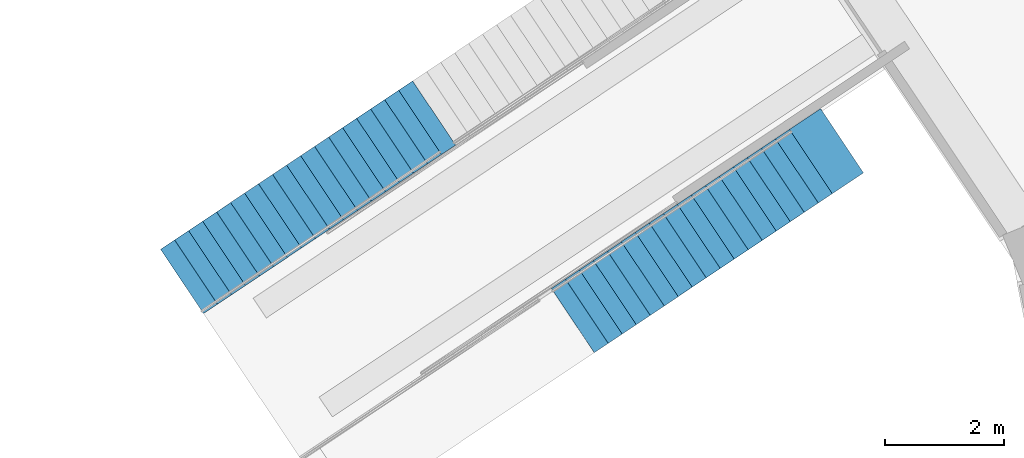
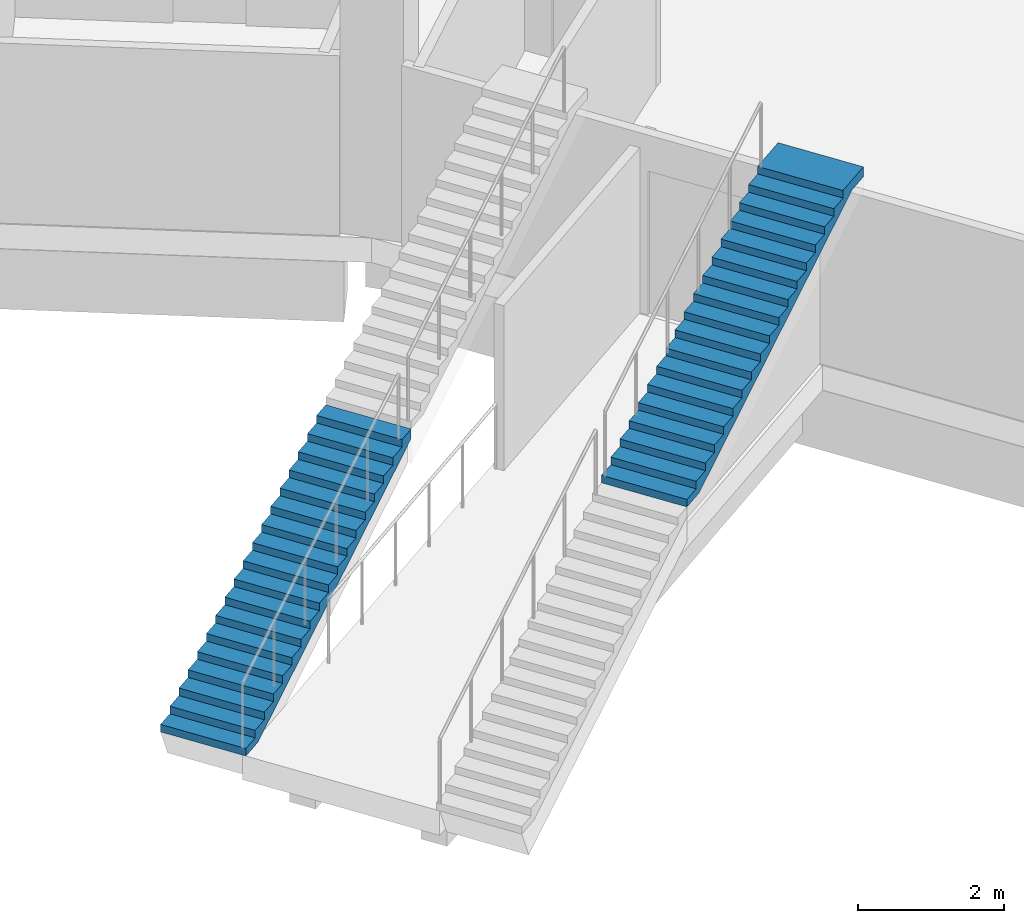
# One storey, part 145 of 175: 2 stair flights, 2 elements without a shape of their own.
"""IFC4 building model written with IfcOpenShell, lengths in metres."""

from ifc_helpers import new_model, si_unit, direction, frame, origin, place, context, subcontext, project, spatial, faceted_brep, material, type_object, element, aggregate, save


model = new_model("IFC4")

# Units and contexts
model_context = context("Model", 3, precision=1e-05, world=origin(), true_north=direction((0.0, 1.0)))
body_context = subcontext(model_context, "Body", "Model", "MODEL_VIEW")
ifc_project = project(units=[si_unit("LENGTHUNIT", "METRE"), si_unit("AREAUNIT", "SQUARE_METRE"), si_unit("VOLUMEUNIT", "CUBIC_METRE"), si_unit("PLANEANGLEUNIT", "RADIAN"), si_unit("MASSUNIT", "GRAM", prefix="KILO")], contexts=[model_context])

# Site, building, storey
site_placement = place(None, origin())
site = spatial("IfcSite", under=ifc_project, at=site_placement, CompositionType="ELEMENT")
building_placement = place(site_placement, origin())
building = spatial("IfcBuilding", under=site, at=building_placement, Name="Ogive Plaza Stadium", CompositionType="ELEMENT")
storey_placement = place(building_placement, origin())
storey = spatial("IfcBuildingStorey", under=building, at=storey_placement, Name="L00", CompositionType="ELEMENT", Elevation=0.0)

# Stair, stair flight
ifc_material_1 = material(Name="Concrete C40/50", Category="concrete")
stair_type = type_object("IfcStairType", Name="Aisle stair", PredefinedType="STRAIGHT_RUN_STAIR", material=ifc_material_1)
stair_1_placement = place(storey_placement, origin())
stair_1 = element("IfcStair", 1, at=stair_1_placement, inside=storey, type_object=stair_type, Name="Aisle stair SA39L", PredefinedType="STRAIGHT_RUN_STAIR")
ifc_material_2 = material(Name="Concrete C40/50", Category="concrete")
stair_flight_type = type_object("IfcStairFlightType", Name="Aisle stair flight", PredefinedType="STRAIGHT", material=ifc_material_2)
stair_flight_1_placement = place(storey_placement, frame((52.00390625, 62.004150390625, 2.25), z_axis=(0.0, 0.0, 1.0), x_axis=(0.831469612303, 0.55557023302, 0.0)))
stair_flight_1 = element("IfcStairFlight", 2, at=stair_flight_1_placement, type_object=stair_flight_type, Name="SA39L flight 2", NumberOfRisers=18, NumberOfTreads=17, PredefinedType="STRAIGHT", RiserHeight=0.125, TreadLength=0.283333333, context=body_context, shape_type="Brep", body=[
    faceted_brep([(0.371337890625, -0.64990234375, 0.0), (5.10009765625, -0.64990234375, 2.086181640625), (5.446533203125, -0.64990234375, 2.086181640625), (5.446533203125, -0.64990234375, 2.25), (4.816650390625, -0.64990234375, 2.25), (4.816650390625, -0.64990234375, 2.125), (4.533447265625, -0.64990234375, 2.125), (4.533447265625, -0.64990234375, 2.0), (4.25, -0.64990234375, 2.0), (4.25, -0.64990234375, 1.875), (3.966552734375, -0.64990234375, 1.875), (3.966552734375, -0.64990234375, 1.75), (3.683349609375, -0.64990234375, 1.75), (3.683349609375, -0.64990234375, 1.625), (3.39990234375, -0.64990234375, 1.625), (3.39990234375, -0.64990234375, 1.5), (3.11669921875, -0.64990234375, 1.5), (3.11669921875, -0.64990234375, 1.375), (2.833251953125, -0.64990234375, 1.375), (2.833251953125, -0.64990234375, 1.25), (2.550048828125, -0.64990234375, 1.25), (2.550048828125, -0.64990234375, 1.125), (2.2666015625, -0.64990234375, 1.125), (2.2666015625, -0.64990234375, 1.0), (1.9833984375, -0.64990234375, 1.0), (1.9833984375, -0.64990234375, 0.875), (1.699951171875, -0.64990234375, 0.875), (1.699951171875, -0.64990234375, 0.75), (1.416748046875, -0.64990234375, 0.75), (1.416748046875, -0.64990234375, 0.625), (1.13330078125, -0.64990234375, 0.625), (1.13330078125, -0.64990234375, 0.5), (0.85009765625, -0.64990234375, 0.5), (0.85009765625, -0.64990234375, 0.375), (0.566650390625, -0.64990234375, 0.375), (0.566650390625, -0.64990234375, 0.25), (0.283447265625, -0.64990234375, 0.25), (0.283447265625, -0.64990234375, 0.125), (0.0, -0.64990234375, 0.125), (0.0, -0.64990234375, 0.0), (0.0, 0.64990234375, 0.0), (0.0, 0.64990234375, 0.125), (0.283447265625, 0.64990234375, 0.125), (0.283447265625, 0.64990234375, 0.25), (0.566650390625, 0.64990234375, 0.25), (0.566650390625, 0.64990234375, 0.375), (0.85009765625, 0.64990234375, 0.375), (0.85009765625, 0.64990234375, 0.5), (1.13330078125, 0.64990234375, 0.5), (1.13330078125, 0.64990234375, 0.625), (1.416748046875, 0.64990234375, 0.625), (1.416748046875, 0.64990234375, 0.75), (1.699951171875, 0.64990234375, 0.75), (1.699951171875, 0.64990234375, 0.875), (1.9833984375, 0.64990234375, 0.875), (1.9833984375, 0.64990234375, 1.0), (2.2666015625, 0.64990234375, 1.0), (2.2666015625, 0.64990234375, 1.125), (2.550048828125, 0.64990234375, 1.125), (2.550048828125, 0.64990234375, 1.25), (2.833251953125, 0.64990234375, 1.25), (2.833251953125, 0.64990234375, 1.375), (3.11669921875, 0.64990234375, 1.375), (3.11669921875, 0.64990234375, 1.5), (3.39990234375, 0.64990234375, 1.5), (3.39990234375, 0.64990234375, 1.625), (3.683349609375, 0.64990234375, 1.625), (3.683349609375, 0.64990234375, 1.75), (3.966552734375, 0.64990234375, 1.75), (3.966552734375, 0.64990234375, 1.875), (4.25, 0.64990234375, 1.875), (4.25, 0.64990234375, 2.0), (4.533447265625, 0.64990234375, 2.0), (4.533447265625, 0.64990234375, 2.125), (4.816650390625, 0.64990234375, 2.125), (4.816650390625, 0.64990234375, 2.25), (5.446533203125, 0.64990234375, 2.25), (5.446533203125, 0.64990234375, 2.086181640625), (5.10009765625, 0.64990234375, 2.086181640625), (0.371337890625, 0.64990234375, 0.0), (0.371337890625, -0.324951171875, 0.0), (5.10009765625, -0.324951171875, 2.086181640625), (0.371337890625, 0.0, 0.0), (5.10009765625, 0.0, 2.086181640625), (0.371337890625, 0.324951171875, 0.0), (5.10009765625, 0.324951171875, 2.086181640625), (5.446533203125, -0.324951171875, 2.086181640625), (5.446533203125, 0.0, 2.086181640625), (5.446533203125, 0.324951171875, 2.086181640625), (5.446533203125, -0.324951171875, 2.25), (5.446533203125, 0.0, 2.25), (5.446533203125, 0.324951171875, 2.25), (4.816650390625, -0.324951171875, 2.25), (4.816650390625, 0.0, 2.25), (4.816650390625, 0.324951171875, 2.25), (4.816650390625, -0.324951171875, 2.125), (4.816650390625, 0.0, 2.125), (4.816650390625, 0.324951171875, 2.125), (4.533447265625, -0.324951171875, 2.125), (4.533447265625, 0.0, 2.125), (4.533447265625, 0.324951171875, 2.125), (4.533447265625, -0.324951171875, 2.0), (4.533447265625, 0.0, 2.0), (4.533447265625, 0.324951171875, 2.0), (4.25, -0.324951171875, 2.0), (4.25, 0.0, 2.0), (4.25, 0.324951171875, 2.0), (4.25, -0.324951171875, 1.875), (4.25, 0.0, 1.875), (4.25, 0.324951171875, 1.875), (3.966552734375, -0.324951171875, 1.875), (3.966552734375, 0.0, 1.875), (3.966552734375, 0.324951171875, 1.875), (3.966552734375, -0.324951171875, 1.75), (3.966552734375, 0.0, 1.75), (3.966552734375, 0.324951171875, 1.75), (3.683349609375, -0.324951171875, 1.75), (3.683349609375, 0.0, 1.75), (3.683349609375, 0.324951171875, 1.75), (3.683349609375, -0.324951171875, 1.625), (3.683349609375, 0.0, 1.625), (3.683349609375, 0.324951171875, 1.625), (3.39990234375, -0.324951171875, 1.625), (3.39990234375, 0.0, 1.625), (3.39990234375, 0.324951171875, 1.625), (3.39990234375, -0.324951171875, 1.5), (3.39990234375, 0.0, 1.5), (3.39990234375, 0.324951171875, 1.5), (3.11669921875, -0.324951171875, 1.5), (3.11669921875, 0.0, 1.5), (3.11669921875, 0.324951171875, 1.5), (3.11669921875, -0.324951171875, 1.375), (3.11669921875, 0.0, 1.375), (3.11669921875, 0.324951171875, 1.375), (2.833251953125, -0.324951171875, 1.375), (2.833251953125, 0.0, 1.375), (2.833251953125, 0.324951171875, 1.375), (2.833251953125, -0.324951171875, 1.25), (2.833251953125, 0.0, 1.25), (2.833251953125, 0.324951171875, 1.25), (2.550048828125, -0.324951171875, 1.25), (2.550048828125, 0.0, 1.25), (2.550048828125, 0.324951171875, 1.25), (2.550048828125, -0.324951171875, 1.125), (2.550048828125, 0.0, 1.125), (2.550048828125, 0.324951171875, 1.125), (2.2666015625, -0.324951171875, 1.125), (2.2666015625, 0.0, 1.125), (2.2666015625, 0.324951171875, 1.125), (2.2666015625, -0.324951171875, 1.0), (2.2666015625, 0.0, 1.0), (2.2666015625, 0.324951171875, 1.0), (1.9833984375, -0.324951171875, 1.0), (1.9833984375, 0.0, 1.0), (1.9833984375, 0.324951171875, 1.0), (1.9833984375, -0.324951171875, 0.875), (1.9833984375, 0.0, 0.875), (1.9833984375, 0.324951171875, 0.875), (1.699951171875, -0.324951171875, 0.875), (1.699951171875, 0.0, 0.875), (1.699951171875, 0.324951171875, 0.875), (1.699951171875, -0.324951171875, 0.75), (1.699951171875, 0.0, 0.75), (1.699951171875, 0.324951171875, 0.75), (1.416748046875, -0.324951171875, 0.75), (1.416748046875, 0.0, 0.75), (1.416748046875, 0.324951171875, 0.75), (1.416748046875, -0.324951171875, 0.625), (1.416748046875, 0.0, 0.625), (1.416748046875, 0.324951171875, 0.625), (1.13330078125, -0.324951171875, 0.625), (1.13330078125, 0.0, 0.625), (1.13330078125, 0.324951171875, 0.625), (1.13330078125, -0.324951171875, 0.5), (1.13330078125, 0.0, 0.5), (1.13330078125, 0.324951171875, 0.5), (0.85009765625, -0.324951171875, 0.5), (0.85009765625, 0.0, 0.5), (0.85009765625, 0.324951171875, 0.5), (0.85009765625, -0.324951171875, 0.375), (0.85009765625, 0.0, 0.375), (0.85009765625, 0.324951171875, 0.375), (0.566650390625, -0.324951171875, 0.375), (0.566650390625, 0.0, 0.375), (0.566650390625, 0.324951171875, 0.375), (0.566650390625, -0.324951171875, 0.25), (0.566650390625, 0.0, 0.25), (0.566650390625, 0.324951171875, 0.25), (0.283447265625, -0.324951171875, 0.25), (0.283447265625, 0.0, 0.25), (0.283447265625, 0.324951171875, 0.25), (0.283447265625, -0.324951171875, 0.125), (0.283447265625, 0.0, 0.125), (0.283447265625, 0.324951171875, 0.125), (0.0, -0.324951171875, 0.125), (0.0, 0.0, 0.125), (0.0, 0.324951171875, 0.125), (0.0, -0.324951171875, 0.0), (0.0, 0.0, 0.0), (0.0, 0.324951171875, 0.0)], [[[0, 1, 2, 3, 4, 5, 6, 7, 8, 9, 10, 11, 12, 13, 14, 15, 16, 17, 18, 19, 20, 21, 22, 23, 24, 25, 26, 27, 28, 29, 30, 31, 32, 33, 34, 35, 36, 37, 38, 39]], [[40, 41, 42, 43, 44, 45, 46, 47, 48, 49, 50, 51, 52, 53, 54, 55, 56, 57, 58, 59, 60, 61, 62, 63, 64, 65, 66, 67, 68, 69, 70, 71, 72, 73, 74, 75, 76, 77, 78, 79]], [[0, 80, 81, 1]], [[80, 82, 83, 81]], [[82, 84, 85, 83]], [[84, 79, 78, 85]], [[1, 81, 86, 2]], [[81, 83, 87, 86]], [[83, 85, 88, 87]], [[85, 78, 77, 88]], [[2, 86, 89, 3]], [[86, 87, 90, 89]], [[87, 88, 91, 90]], [[88, 77, 76, 91]], [[3, 89, 92, 4]], [[89, 90, 93, 92]], [[90, 91, 94, 93]], [[91, 76, 75, 94]], [[4, 92, 95, 5]], [[92, 93, 96, 95]], [[93, 94, 97, 96]], [[94, 75, 74, 97]], [[5, 95, 98, 6]], [[95, 96, 99, 98]], [[96, 97, 100, 99]], [[97, 74, 73, 100]], [[6, 98, 101, 7]], [[98, 99, 102, 101]], [[99, 100, 103, 102]], [[100, 73, 72, 103]], [[7, 101, 104, 8]], [[101, 102, 105, 104]], [[102, 103, 106, 105]], [[103, 72, 71, 106]], [[8, 104, 107, 9]], [[104, 105, 108, 107]], [[105, 106, 109, 108]], [[106, 71, 70, 109]], [[9, 107, 110, 10]], [[107, 108, 111, 110]], [[108, 109, 112, 111]], [[109, 70, 69, 112]], [[10, 110, 113, 11]], [[110, 111, 114, 113]], [[111, 112, 115, 114]], [[112, 69, 68, 115]], [[11, 113, 116, 12]], [[113, 114, 117, 116]], [[114, 115, 118, 117]], [[115, 68, 67, 118]], [[12, 116, 119, 13]], [[116, 117, 120, 119]], [[117, 118, 121, 120]], [[118, 67, 66, 121]], [[13, 119, 122, 14]], [[119, 120, 123, 122]], [[120, 121, 124, 123]], [[121, 66, 65, 124]], [[14, 122, 125, 15]], [[122, 123, 126, 125]], [[123, 124, 127, 126]], [[124, 65, 64, 127]], [[15, 125, 128, 16]], [[125, 126, 129, 128]], [[126, 127, 130, 129]], [[127, 64, 63, 130]], [[16, 128, 131, 17]], [[128, 129, 132, 131]], [[129, 130, 133, 132]], [[130, 63, 62, 133]], [[17, 131, 134, 18]], [[131, 132, 135, 134]], [[132, 133, 136, 135]], [[133, 62, 61, 136]], [[18, 134, 137, 19]], [[134, 135, 138, 137]], [[135, 136, 139, 138]], [[136, 61, 60, 139]], [[19, 137, 140, 20]], [[137, 138, 141, 140]], [[138, 139, 142, 141]], [[139, 60, 59, 142]], [[20, 140, 143, 21]], [[140, 141, 144, 143]], [[141, 142, 145, 144]], [[142, 59, 58, 145]], [[21, 143, 146, 22]], [[143, 144, 147, 146]], [[144, 145, 148, 147]], [[145, 58, 57, 148]], [[22, 146, 149, 23]], [[146, 147, 150, 149]], [[147, 148, 151, 150]], [[148, 57, 56, 151]], [[23, 149, 152, 24]], [[149, 150, 153, 152]], [[150, 151, 154, 153]], [[151, 56, 55, 154]], [[24, 152, 155, 25]], [[152, 153, 156, 155]], [[153, 154, 157, 156]], [[154, 55, 54, 157]], [[25, 155, 158, 26]], [[155, 156, 159, 158]], [[156, 157, 160, 159]], [[157, 54, 53, 160]], [[26, 158, 161, 27]], [[158, 159, 162, 161]], [[159, 160, 163, 162]], [[160, 53, 52, 163]], [[27, 161, 164, 28]], [[161, 162, 165, 164]], [[162, 163, 166, 165]], [[163, 52, 51, 166]], [[28, 164, 167, 29]], [[164, 165, 168, 167]], [[165, 166, 169, 168]], [[166, 51, 50, 169]], [[29, 167, 170, 30]], [[167, 168, 171, 170]], [[168, 169, 172, 171]], [[169, 50, 49, 172]], [[30, 170, 173, 31]], [[170, 171, 174, 173]], [[171, 172, 175, 174]], [[172, 49, 48, 175]], [[31, 173, 176, 32]], [[173, 174, 177, 176]], [[174, 175, 178, 177]], [[175, 48, 47, 178]], [[32, 176, 179, 33]], [[176, 177, 180, 179]], [[177, 178, 181, 180]], [[178, 47, 46, 181]], [[33, 179, 182, 34]], [[179, 180, 183, 182]], [[180, 181, 184, 183]], [[181, 46, 45, 184]], [[34, 182, 185, 35]], [[182, 183, 186, 185]], [[183, 184, 187, 186]], [[184, 45, 44, 187]], [[35, 185, 188, 36]], [[185, 186, 189, 188]], [[186, 187, 190, 189]], [[187, 44, 43, 190]], [[36, 188, 191, 37]], [[188, 189, 192, 191]], [[189, 190, 193, 192]], [[190, 43, 42, 193]], [[37, 191, 194, 38]], [[191, 192, 195, 194]], [[192, 193, 196, 195]], [[193, 42, 41, 196]], [[38, 194, 197, 39]], [[194, 195, 198, 197]], [[195, 196, 199, 198]], [[196, 41, 40, 199]], [[39, 197, 80, 0]], [[197, 198, 82, 80]], [[198, 199, 84, 82]], [[199, 40, 79, 84]]]),
])
aggregate(stair_1, [stair_flight_1])

stair_2_placement = place(storey_placement, origin())
stair_2 = element("IfcStair", 3, at=stair_2_placement, inside=storey, type_object=stair_type, Name="Aisle stair SA39R", PredefinedType="STRAIGHT_RUN_STAIR")
stair_flight_2_placement = place(storey_placement, frame((45.43017578125, 62.6630859375, 0.0), z_axis=(0.0, 0.0, 1.0), x_axis=(0.831469612303, 0.55557023302, 0.0)))
stair_flight_2 = element("IfcStairFlight", 4, at=stair_flight_2_placement, type_object=stair_flight_type, Name="SA39R flight 1", NumberOfRisers=18, NumberOfTreads=17, PredefinedType="STRAIGHT", RiserHeight=0.125, TreadLength=0.283333333, context=body_context, shape_type="Brep", body=[
    faceted_brep([(0.371337890625, -0.64990234375, 0.0), (5.10009765625, -0.64990234375, 2.086181640625), (5.10009765625, -0.64990234375, 2.25), (4.816650390625, -0.64990234375, 2.25), (4.816650390625, -0.64990234375, 2.125), (4.533447265625, -0.64990234375, 2.125), (4.533447265625, -0.64990234375, 2.0), (4.25, -0.64990234375, 2.0), (4.25, -0.64990234375, 1.875), (3.966552734375, -0.64990234375, 1.875), (3.966552734375, -0.64990234375, 1.75), (3.683349609375, -0.64990234375, 1.75), (3.683349609375, -0.64990234375, 1.625), (3.39990234375, -0.64990234375, 1.625), (3.39990234375, -0.64990234375, 1.5), (3.11669921875, -0.64990234375, 1.5), (3.11669921875, -0.64990234375, 1.375), (2.833251953125, -0.64990234375, 1.375), (2.833251953125, -0.64990234375, 1.25), (2.550048828125, -0.64990234375, 1.25), (2.550048828125, -0.64990234375, 1.125), (2.2666015625, -0.64990234375, 1.125), (2.2666015625, -0.64990234375, 1.0), (1.9833984375, -0.64990234375, 1.0), (1.9833984375, -0.64990234375, 0.875), (1.699951171875, -0.64990234375, 0.875), (1.699951171875, -0.64990234375, 0.75), (1.416748046875, -0.64990234375, 0.75), (1.416748046875, -0.64990234375, 0.625), (1.13330078125, -0.64990234375, 0.625), (1.13330078125, -0.64990234375, 0.5), (0.85009765625, -0.64990234375, 0.5), (0.85009765625, -0.64990234375, 0.375), (0.566650390625, -0.64990234375, 0.375), (0.566650390625, -0.64990234375, 0.25), (0.283447265625, -0.64990234375, 0.25), (0.283447265625, -0.64990234375, 0.125), (0.0, -0.64990234375, 0.125), (0.0, -0.64990234375, 0.0), (0.0, 0.64990234375, 0.0), (0.0, 0.64990234375, 0.125), (0.283447265625, 0.64990234375, 0.125), (0.283447265625, 0.64990234375, 0.25), (0.566650390625, 0.64990234375, 0.25), (0.566650390625, 0.64990234375, 0.375), (0.85009765625, 0.64990234375, 0.375), (0.85009765625, 0.64990234375, 0.5), (1.13330078125, 0.64990234375, 0.5), (1.13330078125, 0.64990234375, 0.625), (1.416748046875, 0.64990234375, 0.625), (1.416748046875, 0.64990234375, 0.75), (1.699951171875, 0.64990234375, 0.75), (1.699951171875, 0.64990234375, 0.875), (1.9833984375, 0.64990234375, 0.875), (1.9833984375, 0.64990234375, 1.0), (2.2666015625, 0.64990234375, 1.0), (2.2666015625, 0.64990234375, 1.125), (2.550048828125, 0.64990234375, 1.125), (2.550048828125, 0.64990234375, 1.25), (2.833251953125, 0.64990234375, 1.25), (2.833251953125, 0.64990234375, 1.375), (3.11669921875, 0.64990234375, 1.375), (3.11669921875, 0.64990234375, 1.5), (3.39990234375, 0.64990234375, 1.5), (3.39990234375, 0.64990234375, 1.625), (3.683349609375, 0.64990234375, 1.625), (3.683349609375, 0.64990234375, 1.75), (3.966552734375, 0.64990234375, 1.75), (3.966552734375, 0.64990234375, 1.875), (4.25, 0.64990234375, 1.875), (4.25, 0.64990234375, 2.0), (4.533447265625, 0.64990234375, 2.0), (4.533447265625, 0.64990234375, 2.125), (4.816650390625, 0.64990234375, 2.125), (4.816650390625, 0.64990234375, 2.25), (5.10009765625, 0.64990234375, 2.25), (5.10009765625, 0.64990234375, 2.086181640625), (0.371337890625, 0.64990234375, 0.0), (0.371337890625, -0.324951171875, 0.0), (5.10009765625, -0.324951171875, 2.086181640625), (0.371337890625, 0.0, 0.0), (5.10009765625, 0.0, 2.086181640625), (0.371337890625, 0.324951171875, 0.0), (5.10009765625, 0.324951171875, 2.086181640625), (5.10009765625, -0.324951171875, 2.25), (5.10009765625, 0.0, 2.25), (5.10009765625, 0.324951171875, 2.25), (4.816650390625, -0.324951171875, 2.25), (4.816650390625, 0.0, 2.25), (4.816650390625, 0.324951171875, 2.25), (4.816650390625, -0.324951171875, 2.125), (4.816650390625, 0.0, 2.125), (4.816650390625, 0.324951171875, 2.125), (4.533447265625, -0.324951171875, 2.125), (4.533447265625, 0.0, 2.125), (4.533447265625, 0.324951171875, 2.125), (4.533447265625, -0.324951171875, 2.0), (4.533447265625, 0.0, 2.0), (4.533447265625, 0.324951171875, 2.0), (4.25, -0.324951171875, 2.0), (4.25, 0.0, 2.0), (4.25, 0.324951171875, 2.0), (4.25, -0.324951171875, 1.875), (4.25, 0.0, 1.875), (4.25, 0.324951171875, 1.875), (3.966552734375, -0.324951171875, 1.875), (3.966552734375, 0.0, 1.875), (3.966552734375, 0.324951171875, 1.875), (3.966552734375, -0.324951171875, 1.75), (3.966552734375, 0.0, 1.75), (3.966552734375, 0.324951171875, 1.75), (3.683349609375, -0.324951171875, 1.75), (3.683349609375, 0.0, 1.75), (3.683349609375, 0.324951171875, 1.75), (3.683349609375, -0.324951171875, 1.625), (3.683349609375, 0.0, 1.625), (3.683349609375, 0.324951171875, 1.625), (3.39990234375, -0.324951171875, 1.625), (3.39990234375, 0.0, 1.625), (3.39990234375, 0.324951171875, 1.625), (3.39990234375, -0.324951171875, 1.5), (3.39990234375, 0.0, 1.5), (3.39990234375, 0.324951171875, 1.5), (3.11669921875, -0.324951171875, 1.5), (3.11669921875, 0.0, 1.5), (3.11669921875, 0.324951171875, 1.5), (3.11669921875, -0.324951171875, 1.375), (3.11669921875, 0.0, 1.375), (3.11669921875, 0.324951171875, 1.375), (2.833251953125, -0.324951171875, 1.375), (2.833251953125, 0.0, 1.375), (2.833251953125, 0.324951171875, 1.375), (2.833251953125, -0.324951171875, 1.25), (2.833251953125, 0.0, 1.25), (2.833251953125, 0.324951171875, 1.25), (2.550048828125, -0.324951171875, 1.25), (2.550048828125, 0.0, 1.25), (2.550048828125, 0.324951171875, 1.25), (2.550048828125, -0.324951171875, 1.125), (2.550048828125, 0.0, 1.125), (2.550048828125, 0.324951171875, 1.125), (2.2666015625, -0.324951171875, 1.125), (2.2666015625, 0.0, 1.125), (2.2666015625, 0.324951171875, 1.125), (2.2666015625, -0.324951171875, 1.0), (2.2666015625, 0.0, 1.0), (2.2666015625, 0.324951171875, 1.0), (1.9833984375, -0.324951171875, 1.0), (1.9833984375, 0.0, 1.0), (1.9833984375, 0.324951171875, 1.0), (1.9833984375, -0.324951171875, 0.875), (1.9833984375, 0.0, 0.875), (1.9833984375, 0.324951171875, 0.875), (1.699951171875, -0.324951171875, 0.875), (1.699951171875, 0.0, 0.875), (1.699951171875, 0.324951171875, 0.875), (1.699951171875, -0.324951171875, 0.75), (1.699951171875, 0.0, 0.75), (1.699951171875, 0.324951171875, 0.75), (1.416748046875, -0.324951171875, 0.75), (1.416748046875, 0.0, 0.75), (1.416748046875, 0.324951171875, 0.75), (1.416748046875, -0.324951171875, 0.625), (1.416748046875, 0.0, 0.625), (1.416748046875, 0.324951171875, 0.625), (1.13330078125, -0.324951171875, 0.625), (1.13330078125, 0.0, 0.625), (1.13330078125, 0.324951171875, 0.625), (1.13330078125, -0.324951171875, 0.5), (1.13330078125, 0.0, 0.5), (1.13330078125, 0.324951171875, 0.5), (0.85009765625, -0.324951171875, 0.5), (0.85009765625, 0.0, 0.5), (0.85009765625, 0.324951171875, 0.5), (0.85009765625, -0.324951171875, 0.375), (0.85009765625, 0.0, 0.375), (0.85009765625, 0.324951171875, 0.375), (0.566650390625, -0.324951171875, 0.375), (0.566650390625, 0.0, 0.375), (0.566650390625, 0.324951171875, 0.375), (0.566650390625, -0.324951171875, 0.25), (0.566650390625, 0.0, 0.25), (0.566650390625, 0.324951171875, 0.25), (0.283447265625, -0.324951171875, 0.25), (0.283447265625, 0.0, 0.25), (0.283447265625, 0.324951171875, 0.25), (0.283447265625, -0.324951171875, 0.125), (0.283447265625, 0.0, 0.125), (0.283447265625, 0.324951171875, 0.125), (0.0, -0.324951171875, 0.125), (0.0, 0.0, 0.125), (0.0, 0.324951171875, 0.125), (0.0, -0.324951171875, 0.0), (0.0, 0.0, 0.0), (0.0, 0.324951171875, 0.0)], [[[0, 1, 2, 3, 4, 5, 6, 7, 8, 9, 10, 11, 12, 13, 14, 15, 16, 17, 18, 19, 20, 21, 22, 23, 24, 25, 26, 27, 28, 29, 30, 31, 32, 33, 34, 35, 36, 37, 38]], [[39, 40, 41, 42, 43, 44, 45, 46, 47, 48, 49, 50, 51, 52, 53, 54, 55, 56, 57, 58, 59, 60, 61, 62, 63, 64, 65, 66, 67, 68, 69, 70, 71, 72, 73, 74, 75, 76, 77]], [[0, 78, 79, 1]], [[78, 80, 81, 79]], [[80, 82, 83, 81]], [[82, 77, 76, 83]], [[1, 79, 84, 2]], [[79, 81, 85, 84]], [[81, 83, 86, 85]], [[83, 76, 75, 86]], [[2, 84, 87, 3]], [[84, 85, 88, 87]], [[85, 86, 89, 88]], [[86, 75, 74, 89]], [[3, 87, 90, 4]], [[87, 88, 91, 90]], [[88, 89, 92, 91]], [[89, 74, 73, 92]], [[4, 90, 93, 5]], [[90, 91, 94, 93]], [[91, 92, 95, 94]], [[92, 73, 72, 95]], [[5, 93, 96, 6]], [[93, 94, 97, 96]], [[94, 95, 98, 97]], [[95, 72, 71, 98]], [[6, 96, 99, 7]], [[96, 97, 100, 99]], [[97, 98, 101, 100]], [[98, 71, 70, 101]], [[7, 99, 102, 8]], [[99, 100, 103, 102]], [[100, 101, 104, 103]], [[101, 70, 69, 104]], [[8, 102, 105, 9]], [[102, 103, 106, 105]], [[103, 104, 107, 106]], [[104, 69, 68, 107]], [[9, 105, 108, 10]], [[105, 106, 109, 108]], [[106, 107, 110, 109]], [[107, 68, 67, 110]], [[10, 108, 111, 11]], [[108, 109, 112, 111]], [[109, 110, 113, 112]], [[110, 67, 66, 113]], [[11, 111, 114, 12]], [[111, 112, 115, 114]], [[112, 113, 116, 115]], [[113, 66, 65, 116]], [[12, 114, 117, 13]], [[114, 115, 118, 117]], [[115, 116, 119, 118]], [[116, 65, 64, 119]], [[13, 117, 120, 14]], [[117, 118, 121, 120]], [[118, 119, 122, 121]], [[119, 64, 63, 122]], [[14, 120, 123, 15]], [[120, 121, 124, 123]], [[121, 122, 125, 124]], [[122, 63, 62, 125]], [[15, 123, 126, 16]], [[123, 124, 127, 126]], [[124, 125, 128, 127]], [[125, 62, 61, 128]], [[16, 126, 129, 17]], [[126, 127, 130, 129]], [[127, 128, 131, 130]], [[128, 61, 60, 131]], [[17, 129, 132, 18]], [[129, 130, 133, 132]], [[130, 131, 134, 133]], [[131, 60, 59, 134]], [[18, 132, 135, 19]], [[132, 133, 136, 135]], [[133, 134, 137, 136]], [[134, 59, 58, 137]], [[19, 135, 138, 20]], [[135, 136, 139, 138]], [[136, 137, 140, 139]], [[137, 58, 57, 140]], [[20, 138, 141, 21]], [[138, 139, 142, 141]], [[139, 140, 143, 142]], [[140, 57, 56, 143]], [[21, 141, 144, 22]], [[141, 142, 145, 144]], [[142, 143, 146, 145]], [[143, 56, 55, 146]], [[22, 144, 147, 23]], [[144, 145, 148, 147]], [[145, 146, 149, 148]], [[146, 55, 54, 149]], [[23, 147, 150, 24]], [[147, 148, 151, 150]], [[148, 149, 152, 151]], [[149, 54, 53, 152]], [[24, 150, 153, 25]], [[150, 151, 154, 153]], [[151, 152, 155, 154]], [[152, 53, 52, 155]], [[25, 153, 156, 26]], [[153, 154, 157, 156]], [[154, 155, 158, 157]], [[155, 52, 51, 158]], [[26, 156, 159, 27]], [[156, 157, 160, 159]], [[157, 158, 161, 160]], [[158, 51, 50, 161]], [[27, 159, 162, 28]], [[159, 160, 163, 162]], [[160, 161, 164, 163]], [[161, 50, 49, 164]], [[28, 162, 165, 29]], [[162, 163, 166, 165]], [[163, 164, 167, 166]], [[164, 49, 48, 167]], [[29, 165, 168, 30]], [[165, 166, 169, 168]], [[166, 167, 170, 169]], [[167, 48, 47, 170]], [[30, 168, 171, 31]], [[168, 169, 172, 171]], [[169, 170, 173, 172]], [[170, 47, 46, 173]], [[31, 171, 174, 32]], [[171, 172, 175, 174]], [[172, 173, 176, 175]], [[173, 46, 45, 176]], [[32, 174, 177, 33]], [[174, 175, 178, 177]], [[175, 176, 179, 178]], [[176, 45, 44, 179]], [[33, 177, 180, 34]], [[177, 178, 181, 180]], [[178, 179, 182, 181]], [[179, 44, 43, 182]], [[34, 180, 183, 35]], [[180, 181, 184, 183]], [[181, 182, 185, 184]], [[182, 43, 42, 185]], [[35, 183, 186, 36]], [[183, 184, 187, 186]], [[184, 185, 188, 187]], [[185, 42, 41, 188]], [[36, 186, 189, 37]], [[186, 187, 190, 189]], [[187, 188, 191, 190]], [[188, 41, 40, 191]], [[37, 189, 192, 38]], [[189, 190, 193, 192]], [[190, 191, 194, 193]], [[191, 40, 39, 194]], [[38, 192, 78, 0]], [[192, 193, 80, 78]], [[193, 194, 82, 80]], [[194, 39, 77, 82]]]),
])
aggregate(stair_2, [stair_flight_2])

save(model, "model.ifc")
